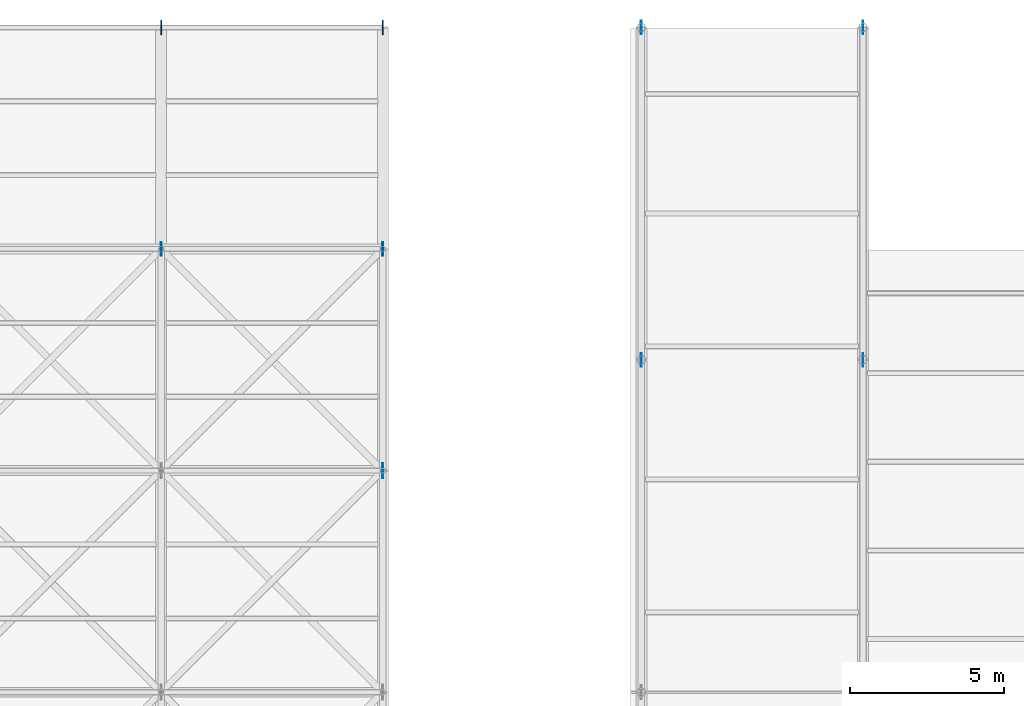
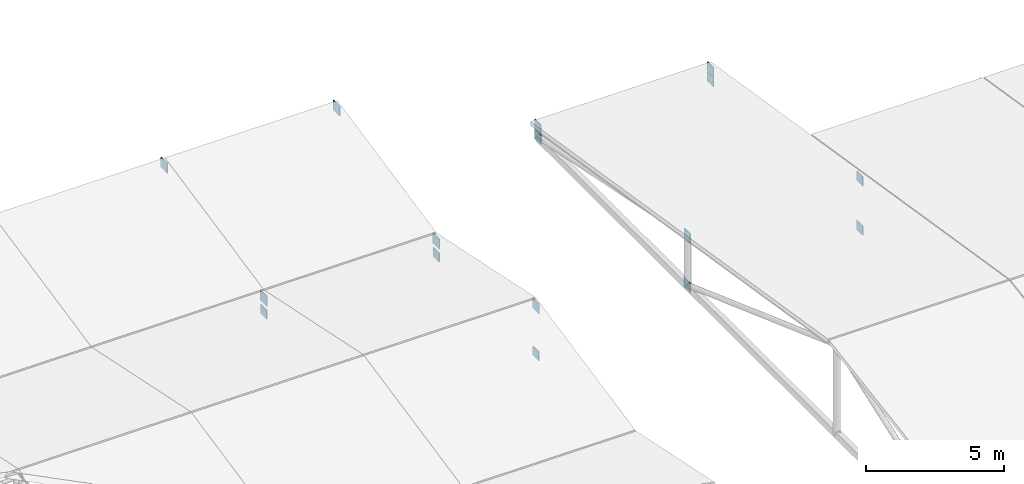
# One storey, part 71 of 72: 16 plates.
"""IFC4 building model written with IfcOpenShell, lengths in metres."""

from ifc_helpers import new_model, si_unit, direction, frame, origin, origin_2d, place, context, subcontext, project, spatial, rectangle, extrude, material, layer, layer_set, type_object, element, save


model = new_model("IFC4")

# Units and contexts
model_context = context("Model", 3, precision=1e-05, world=origin(), true_north=direction((0.0, 1.0)))
body_context = subcontext(model_context, "Body", "Model", "MODEL_VIEW")
ifc_project = project(units=[si_unit("LENGTHUNIT", "METRE"), si_unit("AREAUNIT", "SQUARE_METRE"), si_unit("VOLUMEUNIT", "CUBIC_METRE"), si_unit("PLANEANGLEUNIT", "RADIAN"), si_unit("MASSUNIT", "GRAM", prefix="KILO")], contexts=[model_context])

# Site, building, storey
site_placement = place(None, origin())
site = spatial("IfcSite", under=ifc_project, at=site_placement, CompositionType="ELEMENT")
building_placement = place(site_placement, origin())
building = spatial("IfcBuilding", under=site, at=building_placement, Name="Vaelcorin Mobility Hub", CompositionType="ELEMENT")
storey_placement = place(building_placement, frame((0.0, 0.0, 25.800048828125)))
storey = spatial("IfcBuildingStorey", under=building, at=storey_placement, Name="RF", CompositionType="ELEMENT", Elevation=25.800048828125)

# Plates
ifc_material = material(Name="Steel ASTM A572 Grade 50", Category="steel")
ifc_layer_1 = layer(ifc_material, 0.0380859375)
ifc_layer_set_1 = layer_set([ifc_layer_1], Name="Steel ASTM A572 Grade 50")
plate_type_1 = type_object("IfcPlateType", Name="PL-TN1", PredefinedType="USERDEFINED", material=ifc_layer_set_1)
for number, where, z_axis, x_axis, name in (
    (1, (108.0, 112.800048828125, -1.719970703125), (0.0, 0.0, 1.0), (1.0, 0.0, 0.0), "Sports Roof Truss Node TN1 10-4"),
    (2, (108.0, 120.0, -0.219970703125), (0.0, 0.0, 1.0), (1.0, 0.0, 0.0), "Sports Roof Truss Node TN1 10-5"),
    (3, (115.199951171875, 112.800048828125, -1.719970703125), (0.0, 0.0, 1.0), (1.0, 0.0, 0.0), "Sports Roof Truss Node TN1 11-4"),
    (4, (115.199951171875, 120.0, -0.219970703125), (0.0, 0.0, 1.0), (1.0, 0.0, 0.0), "Sports Roof Truss Node TN1 11-5"),
):
    element("IfcPlate", number, at=place(storey_placement, frame(where, z_axis=z_axis, x_axis=x_axis)), inside=storey, type_object=plate_type_1, Name=name, ObjectType="GUSSET PLATE", PredefinedType="USERDEFINED", context=body_context, shape_type="SweptSolid", body=[
        extrude(rectangle(XDim=0.0380859375, YDim=0.47998046875, at=origin_2d()), origin(), (0.0, 0.0, 1.0), 0.43994140625),
    ])
ifc_layer_2 = layer(ifc_material, 0.030029296875)
ifc_layer_set_2 = layer_set([ifc_layer_2], Name="Steel ASTM A572 Grade 50")
plate_type_2 = type_object("IfcPlateType", Name="PL-TN2", PredefinedType="USERDEFINED", material=ifc_layer_set_2)
plate_1_placement = place(storey_placement, frame((108.0, 112.800048828125, -2.300048828125), z_axis=(0.0, 0.0, 1.0), x_axis=(1.0, 0.0, 0.0)))
element("IfcPlate", 5, at=plate_1_placement, inside=storey, type_object=plate_type_2, Name="Sports Roof Truss Bottom Node 10-4", ObjectType="GUSSET PLATE", PredefinedType="USERDEFINED", context=body_context, shape_type="SweptSolid", body=[
    extrude(rectangle(XDim=0.030029296875, YDim=0.43994140625, at=origin_2d()), origin(), (0.0, 0.0, 1.0), 0.39990234375),
])
plate_2_placement = place(storey_placement, frame((115.199951171875, 105.60009765625, -0.219970703125), z_axis=(0.0, 0.0, 1.0), x_axis=(1.0, 0.0, 0.0)))
element("IfcPlate", 6, at=plate_2_placement, inside=storey, type_object=plate_type_2, Name="Sports Roof Truss Node TN2 11-3", ObjectType="GUSSET PLATE", PredefinedType="USERDEFINED", context=body_context, shape_type="SweptSolid", body=[
    extrude(rectangle(XDim=0.030029296875, YDim=0.47998046875, at=origin_2d()), origin(), (0.0, 0.0, 1.0), 0.43994140625),
])
for number, where, z_axis, x_axis, name in (
    (7, (115.199951171875, 105.60009765625, -2.300048828125), (0.0, 0.0, 1.0), (1.0, 0.0, 0.0), "Sports Roof Truss Bottom Node 11-3"),
    (8, (115.199951171875, 112.800048828125, -2.300048828125), (0.0, 0.0, 1.0), (1.0, 0.0, 0.0), "Sports Roof Truss Bottom Node 11-4"),
):
    element("IfcPlate", number, at=place(storey_placement, frame(where, z_axis=z_axis, x_axis=x_axis)), inside=storey, type_object=plate_type_2, Name=name, ObjectType="GUSSET PLATE", PredefinedType="USERDEFINED", context=body_context, shape_type="SweptSolid", body=[
        extrude(rectangle(XDim=0.030029296875, YDim=0.43994140625, at=origin_2d()), origin(), (0.0, 0.0, 1.0), 0.39990234375),
    ])
for number, where, z_axis, x_axis, name in (
    (9, (123.60009765625, 109.199951171875, -2.238037109375), (0.0, 0.0, 1.0), (1.0, 0.0, 0.0), "V2E Drum Truss Upper Node 1-3"),
    (10, (123.60009765625, 109.199951171875, -4.409912109375), (0.0, 0.0, 1.0), (1.0, 0.0, 0.0), "V2E Drum Truss Bottom Node 1-3"),
    (11, (123.60009765625, 120.0, -3.966064453125), (0.0, 0.0, 1.0), (1.0, 0.0, 0.0), "V2E Drum Truss Upper Node 1-4"),
    (12, (123.60009765625, 120.0, -4.409912109375), (0.0, 0.0, 1.0), (1.0, 0.0, 0.0), "V2E Drum Truss Bottom Node 1-4"),
    (13, (130.800048828125, 109.199951171875, -2.238037109375), (0.0, 0.0, 1.0), (1.0, 0.0, 0.0), "V2E Drum Truss Upper Node 2-3"),
    (14, (130.800048828125, 109.199951171875, -4.409912109375), (0.0, 0.0, 1.0), (1.0, 0.0, 0.0), "V2E Drum Truss Bottom Node 2-3"),
    (15, (130.800048828125, 120.0, -3.966064453125), (0.0, 0.0, 1.0), (1.0, 0.0, 0.0), "V2E Drum Truss Upper Node 2-4"),
    (16, (130.800048828125, 120.0, -4.409912109375), (0.0, 0.0, 1.0), (1.0, 0.0, 0.0), "V2E Drum Truss Bottom Node 2-4"),
):
    element("IfcPlate", number, at=place(storey_placement, frame(where, z_axis=z_axis, x_axis=x_axis)), inside=storey, type_object=plate_type_2, Name=name, ObjectType="GUSSET PLATE", PredefinedType="USERDEFINED", context=body_context, shape_type="SweptSolid", body=[
        extrude(rectangle(XDim=0.030029296875, YDim=0.43994140625, at=origin_2d()), origin(), (0.0, 0.0, 1.0), 0.419921875),
    ])

save(model, "model.ifc")
